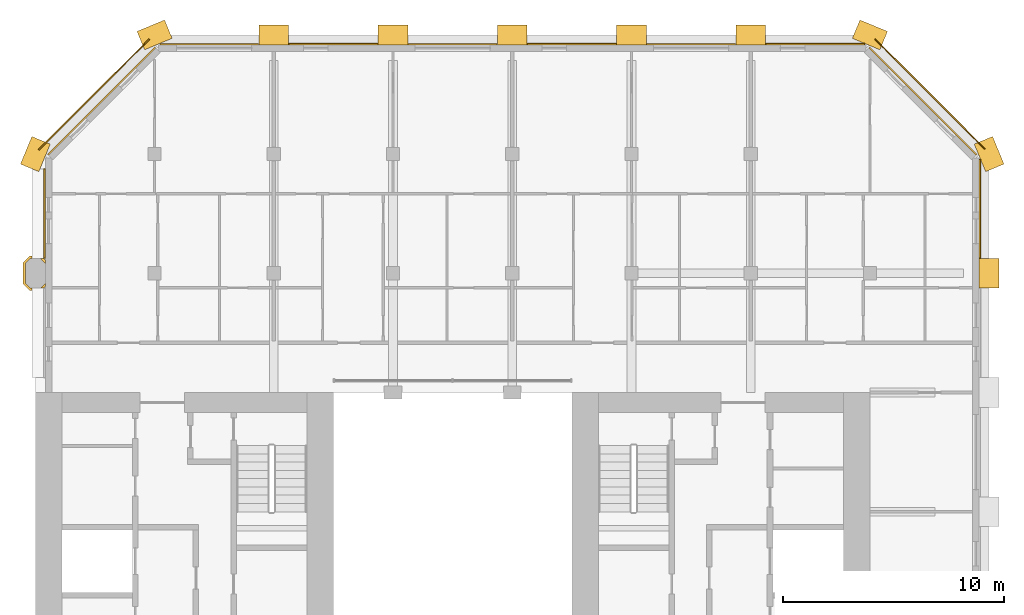
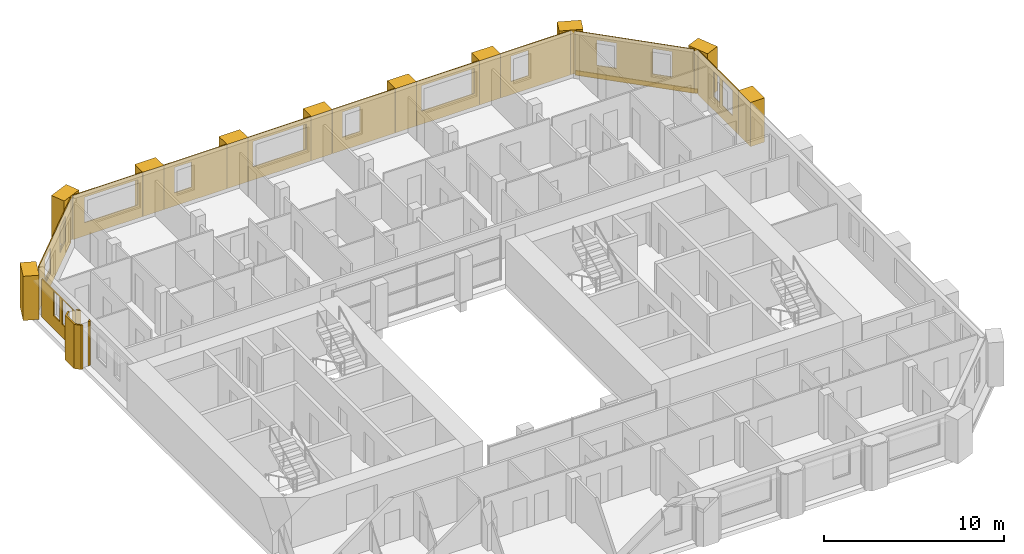
# One storey, part 13 of 13: 25 coverings.
"""IFC4 building model written with IfcOpenShell, lengths in metres."""

from ifc_helpers import new_model, si_unit, direction, frame, frame_2d, origin, place, context, subcontext, project, spatial, polyline, rectangle, outline, extrude, material, layer, layer_set, type_object, element, save


model = new_model("IFC4")

# Units and contexts
model_context = context("Model", 3, precision=1e-05, world=origin(), true_north=direction((0.0, 1.0)))
body_context = subcontext(model_context, "Body", "Model", "MODEL_VIEW")
ifc_project = project(units=[si_unit("LENGTHUNIT", "METRE"), si_unit("AREAUNIT", "SQUARE_METRE"), si_unit("VOLUMEUNIT", "CUBIC_METRE"), si_unit("PLANEANGLEUNIT", "RADIAN"), si_unit("MASSUNIT", "GRAM", prefix="KILO")], contexts=[model_context])

# Site, building, storey
site_placement = place(None, origin())
site = spatial("IfcSite", under=ifc_project, at=site_placement, CompositionType="ELEMENT")
building_placement = place(site_placement, origin())
building = spatial("IfcBuilding", under=site, at=building_placement, Name="Tabaq Tower and Sports Hall", CompositionType="ELEMENT")
storey_placement = place(building_placement, frame((0.0, 0.0, 291.699951171875)))
storey = spatial("IfcBuildingStorey", under=building, at=storey_placement, Name="L72", CompositionType="ELEMENT", Elevation=291.699951171875)

# Coverings
ifc_material_1 = material(Name="Precast concrete C60/75", Category="concrete")
ifc_layer_1 = layer(ifc_material_1, 0.10009765625)
ifc_layer_set_1 = layer_set([ifc_layer_1], Name="Column cladding 100")
covering_type_1 = type_object("IfcCoveringType", Name="Column cladding 100", PredefinedType="CLADDING", material=ifc_layer_set_1)
covering_1_placement = place(storey_placement, origin())
element("IfcCovering", 1, at=covering_1_placement, inside=storey, type_object=covering_type_1, Name="Column cladding L72 PC-2H-R2", PredefinedType="CLADDING", context=body_context, shape_type="SweptSolid", body=[
    extrude(outline(polyline([(5.1337890625, 37.025634765625), (4.8505859375, 37.308837890625), (4.8505859375, 38.291259765625), (5.1337890625, 38.574462890625), (5.24951171875, 38.574462890625), (5.24951171875, 38.4755859375), (5.1748046875, 38.4755859375), (4.949462890625, 38.250244140625), (4.949462890625, 37.349853515625), (5.1748046875, 37.12451171875), (5.24951171875, 37.12451171875), (5.24951171875, 37.025634765625), (5.1337890625, 37.025634765625)])), origin(), (0.0, 0.0, 1.0), 3.0),
])
covering_2_placement = place(storey_placement, origin())
element("IfcCovering", 2, at=covering_2_placement, inside=storey, type_object=covering_type_1, Name="Column cladding L72 PC-2H-R2 2", PredefinedType="CLADDING", context=body_context, shape_type="SweptSolid", body=[
    extrude(outline(polyline([(5.766357421875, 37.125244140625), (5.625732421875, 37.125244140625), (5.849609375, 37.349365234375), (5.849609375, 37.208740234375), (5.766357421875, 37.125244140625)])), origin(), (0.0, 0.0, 1.0), 3.0),
])
covering_3_placement = place(storey_placement, origin())
element("IfcCovering", 3, at=covering_3_placement, inside=storey, type_object=covering_type_1, Name="Column cladding L72 PC-2H-R2 3", PredefinedType="CLADDING", context=body_context, shape_type="SweptSolid", body=[
    extrude(outline(polyline([(5.62646484375, 38.474365234375), (5.76611328125, 38.474365234375), (5.849365234375, 38.39111328125), (5.849365234375, 38.25146484375), (5.62646484375, 38.474365234375)])), origin(), (0.0, 0.0, 1.0), 3.0),
])
ifc_material_2 = material(Name="Precast concrete C60/75", Category="concrete")
ifc_layer_2 = layer(ifc_material_2, 0.06005859375)
ifc_layer_set_2 = layer_set([ifc_layer_2], Name="Edge beam cladding 60")
covering_type_2 = type_object("IfcCoveringType", Name="Edge beam cladding 60", PredefinedType="CLADDING", material=ifc_layer_set_2)
covering_4_placement = place(storey_placement, frame((48.41015625, 43.432373046875, -0.300048828125), z_axis=(0.0, 0.0, 1.0), x_axis=(-0.707106781187, 0.707106781187, 0.0)))
element("IfcCovering", 4, at=covering_4_placement, inside=storey, type_object=covering_type_2, Name="Edge beam cladding L72 3", PredefinedType="CLADDING", context=body_context, shape_type="SweptSolid", body=[
    extrude(rectangle(XDim=7.03955078125, YDim=0.06005859375, at=frame_2d((3.519775390625, 0.0))), origin(), (0.0, 0.0, 1.0), 0.300048828125),
])
covering_5_placement = place(storey_placement, frame((10.567626953125, 48.41015625, -0.300048828125), z_axis=(0.0, 0.0, 1.0), x_axis=(-0.707089559252, -0.707124002701, 0.0)))
element("IfcCovering", 5, at=covering_5_placement, inside=storey, type_object=covering_type_2, Name="Edge beam cladding L72 5", PredefinedType="CLADDING", context=body_context, shape_type="SweptSolid", body=[
    extrude(rectangle(XDim=7.088134765625, YDim=0.06005859375, at=frame_2d((3.5439453125, 0.0))), origin(), (0.0, 0.0, 1.0), 0.300048828125),
])
ifc_material_3 = material(Name="White precast concrete C60/75", Category="concrete")
covering_type_3 = type_object("IfcCoveringType", Name="Pier cladding hung 1350x900", PredefinedType="CLADDING", material=ifc_material_3)
for number, where, z_axis, x_axis, name in (
    (6, (5.658203125, 43.82373046875, 0.0), (0.0, 0.0, 1.0), (-0.382649923473, -0.923893411637, 0.0), "Hung pier cladding 1/8"),
    (7, (11.423583984375, 48.8583984375, 0.0), (0.0, 0.0, 1.0), (-0.923893411637, -0.382649923473, 0.0), "Hung pier cladding 2/9"),
    (8, (16.875, 48.60009765625, 0.0), (0.0, 0.0, 1.0), (-1.0, 0.0, 0.0), "Hung pier cladding 3/9"),
):
    element("IfcCovering", number, at=place(storey_placement, frame(where, z_axis=z_axis, x_axis=x_axis)), inside=storey, type_object=covering_type_3, Name=name, PredefinedType="CLADDING", context=body_context, shape_type="SweptSolid", body=[
        extrude(rectangle(XDim=1.35009765625, YDim=0.89990234375, at=frame_2d((0.675048828125, 0.0))), origin(), (0.0, 0.0, 1.0), 3.0),
    ])
covering_6_placement = place(storey_placement, frame((22.27490234375, 48.60009765625, 0.0), z_axis=(0.0, 0.0, 1.0), x_axis=(-1.0, 0.0, 0.0)))
element("IfcCovering", 9, at=covering_6_placement, inside=storey, type_object=covering_type_3, Name="Hung pier cladding 4/9", PredefinedType="CLADDING", context=body_context, shape_type="SweptSolid", body=[
    extrude(rectangle(XDim=1.349853515625, YDim=0.89990234375, at=frame_2d((0.6748046875, 0.0))), origin(), (0.0, 0.0, 1.0), 3.0),
])
covering_7_placement = place(storey_placement, frame((27.675048828125, 48.60009765625, 0.0), z_axis=(0.0, 0.0, 1.0), x_axis=(-1.0, 0.0, 0.0)))
element("IfcCovering", 10, at=covering_7_placement, inside=storey, type_object=covering_type_3, Name="Hung pier cladding 5/9", PredefinedType="CLADDING", context=body_context, shape_type="SweptSolid", body=[
    extrude(rectangle(XDim=1.35009765625, YDim=0.89990234375, at=frame_2d((0.675048828125, 0.0))), origin(), (0.0, 0.0, 1.0), 3.0),
])
covering_8_placement = place(storey_placement, frame((33.074951171875, 48.60009765625, 0.0), z_axis=(0.0, 0.0, 1.0), x_axis=(-1.0, 0.0, 0.0)))
element("IfcCovering", 11, at=covering_8_placement, inside=storey, type_object=covering_type_3, Name="Hung pier cladding 6/9", PredefinedType="CLADDING", context=body_context, shape_type="SweptSolid", body=[
    extrude(rectangle(XDim=1.349853515625, YDim=0.89990234375, at=frame_2d((0.6748046875, 0.0))), origin(), (0.0, 0.0, 1.0), 3.0),
])
for number, where, z_axis, x_axis, name in (
    (12, (38.47509765625, 48.60009765625, 0.0), (0.0, 0.0, 1.0), (-1.0, 0.0, 0.0), "Hung pier cladding 7/9"),
    (13, (43.82373046875, 48.341796875, 0.0), (0.0, 0.0, 1.0), (-0.923893411637, 0.382649923473, 0.0), "Hung pier cladding 8/9"),
    (14, (48.60009765625, 37.125, 0.0), (0.0, 0.0, 1.0), (0.0, 1.0, 0.0), "Hung pier cladding 9/7"),
    (15, (48.8583984375, 42.576416015625, 0.0), (0.0, 0.0, 1.0), (-0.382649923473, 0.923893411637, 0.0), "Hung pier cladding 9/8"),
):
    element("IfcCovering", number, at=place(storey_placement, frame(where, z_axis=z_axis, x_axis=x_axis)), inside=storey, type_object=covering_type_3, Name=name, PredefinedType="CLADDING", context=body_context, shape_type="SweptSolid", body=[
        extrude(rectangle(XDim=1.35009765625, YDim=0.89990234375, at=frame_2d((0.675048828125, 0.0))), origin(), (0.0, 0.0, 1.0), 3.0),
    ])
ifc_material_4 = material(Name="Precast concrete C60/75", Category="concrete")
ifc_layer_3 = layer(ifc_material_4, 0.06005859375)
ifc_layer_set_3 = layer_set([ifc_layer_3], Name="White precast cladding panel 60 C60/75")
covering_type_4 = type_object("IfcCoveringType", Name="White precast cladding panel 60 C60/75", PredefinedType="CLADDING", material=ifc_layer_set_3)
covering_9_placement = place(storey_placement, frame((48.179931640625, 38.485107421875, 0.0), z_axis=(0.0, 0.0, 1.0), x_axis=(0.0, 1.0, 0.0)))
element("IfcCovering", 16, at=covering_9_placement, inside=storey, type_object=covering_type_4, Name="White precast cladding panel L72 wall02 6", PredefinedType="CLADDING", context=body_context, shape_type="SweptSolid", body=[
    extrude(outline(polyline([(0.0, 0.0), (4.4716796875, 0.0), (4.4716796875, 3.0), (0.0, 3.0), (0.0, 0.0)]), holes=[polyline([(0.655029296875, 2.610107421875), (1.77490234375, 2.610107421875), (1.77490234375, 0.89013671875), (0.655029296875, 0.89013671875), (0.655029296875, 2.610107421875)]), polyline([(2.080078125, 2.610107421875), (2.75, 2.610107421875), (2.75, 0.89013671875), (2.080078125, 0.89013671875), (2.080078125, 2.610107421875)])]), frame((0.0, 0.030029296875, 0.0), z_axis=(0.0, -1.0, 0.0), x_axis=(1.0, 0.0, 0.0)), (0.0, 0.0, 1.0), 0.06005859375),
])
covering_10_placement = place(storey_placement, frame((48.0283203125, 43.177734375, 0.0), z_axis=(0.0, 0.0, 1.0), x_axis=(-0.707106781187, 0.707106781187, 0.0)))
element("IfcCovering", 17, at=covering_10_placement, inside=storey, type_object=covering_type_4, Name="White precast cladding panel L72 wall03", PredefinedType="CLADDING", context=body_context, shape_type="SweptSolid", body=[
    extrude(outline(polyline([(0.0, 0.0), (6.85986328125, 0.0), (6.85986328125, 3.0), (0.0, 3.0), (0.0, 0.0)]), holes=[polyline([(1.269775390625, 2.610107421875), (2.389892578125, 2.610107421875), (2.389892578125, 0.89013671875), (1.269775390625, 0.89013671875), (1.269775390625, 2.610107421875)]), polyline([(4.4697265625, 2.610107421875), (5.58984375, 2.610107421875), (5.58984375, 0.89013671875), (4.4697265625, 0.89013671875), (4.4697265625, 2.610107421875)])]), frame((0.0, 0.030029296875, 0.0), z_axis=(0.0, -1.0, 0.0), x_axis=(1.0, 0.0, 0.0)), (0.0, 0.0, 1.0), 0.06005859375),
])
covering_11_placement = place(storey_placement, frame((42.956787109375, 48.179931640625, 0.0), z_axis=(0.0, 0.0, 1.0), x_axis=(-1.0, 0.0, 0.0)))
element("IfcCovering", 18, at=covering_11_placement, inside=storey, type_object=covering_type_4, Name="White precast cladding panel L72 wall04", PredefinedType="CLADDING", context=body_context, shape_type="SweptSolid", body=[
    extrude(outline(polyline([(0.0, 0.0), (4.4716796875, 0.0), (4.4716796875, 3.0), (0.0, 3.0), (0.0, 0.0)]), holes=[polyline([(2.69677734375, 0.89013671875), (2.69677734375, 2.610107421875), (3.81689453125, 2.610107421875), (3.81689453125, 0.89013671875), (2.69677734375, 0.89013671875)])]), frame((0.0, 0.030029296875, 0.0), z_axis=(0.0, -1.0, 0.0), x_axis=(1.0, 0.0, 0.0)), (0.0, 0.0, 1.0), 0.06005859375),
])
covering_12_placement = place(storey_placement, frame((37.114990234375, 48.179931640625, 0.0), z_axis=(0.0, 0.0, 1.0), x_axis=(-1.0, 0.0, 0.0)))
element("IfcCovering", 19, at=covering_12_placement, inside=storey, type_object=covering_type_4, Name="White precast cladding panel L72 wall04 2", PredefinedType="CLADDING", context=body_context, shape_type="SweptSolid", body=[
    extrude(outline(polyline([(0.0, 0.0), (4.030029296875, 0.0), (4.030029296875, 3.0), (0.0, 3.0), (0.0, 0.0)]), holes=[polyline([(0.304931640625, 0.89013671875), (0.304931640625, 2.610107421875), (3.72509765625, 2.610107421875), (3.72509765625, 0.89013671875), (0.304931640625, 0.89013671875)])]), frame((0.0, 0.030029296875, 0.0), z_axis=(0.0, -1.0, 0.0), x_axis=(1.0, 0.0, 0.0)), (0.0, 0.0, 1.0), 0.06005859375),
])
covering_13_placement = place(storey_placement, frame((31.715087890625, 48.179931640625, 0.0), z_axis=(0.0, 0.0, 1.0), x_axis=(-1.0, 0.0, 0.0)))
element("IfcCovering", 20, at=covering_13_placement, inside=storey, type_object=covering_type_4, Name="White precast cladding panel L72 wall04 3", PredefinedType="CLADDING", context=body_context, shape_type="SweptSolid", body=[
    extrude(outline(polyline([(0.0, 0.0), (4.030029296875, 0.0), (4.030029296875, 3.0), (0.0, 3.0), (0.0, 0.0)]), holes=[polyline([(2.2548828125, 0.89013671875), (2.2548828125, 2.610107421875), (3.375, 2.610107421875), (3.375, 0.89013671875), (2.2548828125, 0.89013671875)])]), frame((0.0, 0.030029296875, 0.0), z_axis=(0.0, -1.0, 0.0), x_axis=(1.0, 0.0, 0.0)), (0.0, 0.0, 1.0), 0.06005859375),
])
covering_14_placement = place(storey_placement, frame((26.31494140625, 48.179931640625, 0.0), z_axis=(0.0, 0.0, 1.0), x_axis=(-1.0, 0.0, 0.0)))
element("IfcCovering", 21, at=covering_14_placement, inside=storey, type_object=covering_type_4, Name="White precast cladding panel L72 wall04 4", PredefinedType="CLADDING", context=body_context, shape_type="SweptSolid", body=[
    extrude(outline(polyline([(0.0, 0.0), (4.030029296875, 0.0), (4.030029296875, 3.0), (0.0, 3.0), (0.0, 0.0)]), holes=[polyline([(0.304931640625, 0.89013671875), (0.304931640625, 2.610107421875), (3.72509765625, 2.610107421875), (3.72509765625, 0.89013671875), (0.304931640625, 0.89013671875)])]), frame((0.0, 0.030029296875, 0.0), z_axis=(0.0, -1.0, 0.0), x_axis=(1.0, 0.0, 0.0)), (0.0, 0.0, 1.0), 0.06005859375),
])
covering_15_placement = place(storey_placement, frame((20.9150390625, 48.179931640625, 0.0), z_axis=(0.0, 0.0, 1.0), x_axis=(-1.0, 0.0, 0.0)))
element("IfcCovering", 22, at=covering_15_placement, inside=storey, type_object=covering_type_4, Name="White precast cladding panel L72 wall04 5", PredefinedType="CLADDING", context=body_context, shape_type="SweptSolid", body=[
    extrude(outline(polyline([(0.0, 0.0), (4.030029296875, 0.0), (4.030029296875, 3.0), (0.0, 3.0), (0.0, 0.0)]), holes=[polyline([(2.2548828125, 0.89013671875), (2.2548828125, 2.610107421875), (3.375, 2.610107421875), (3.375, 0.89013671875), (2.2548828125, 0.89013671875)])]), frame((0.0, 0.030029296875, 0.0), z_axis=(0.0, -1.0, 0.0), x_axis=(1.0, 0.0, 0.0)), (0.0, 0.0, 1.0), 0.06005859375),
])
covering_16_placement = place(storey_placement, frame((15.514892578125, 48.179931640625, 0.0), z_axis=(0.0, 0.0, 1.0), x_axis=(-1.0, 0.0, 0.0)))
element("IfcCovering", 23, at=covering_16_placement, inside=storey, type_object=covering_type_4, Name="White precast cladding panel L72 wall04 6", PredefinedType="CLADDING", context=body_context, shape_type="SweptSolid", body=[
    extrude(outline(polyline([(0.0, 0.0), (4.4716796875, 0.0), (4.4716796875, 3.0), (0.0, 3.0), (0.0, 0.0)]), holes=[polyline([(0.304931640625, 0.89013671875), (0.304931640625, 2.610107421875), (3.72509765625, 2.610107421875), (3.72509765625, 0.89013671875), (0.304931640625, 0.89013671875)])]), frame((0.0, 0.030029296875, 0.0), z_axis=(0.0, -1.0, 0.0), x_axis=(1.0, 0.0, 0.0)), (0.0, 0.0, 1.0), 0.06005859375),
])
covering_17_placement = place(storey_placement, frame((10.822265625, 48.0283203125, 0.0), z_axis=(0.0, 0.0, 1.0), x_axis=(-0.707106781187, -0.707106781187, 0.0)))
element("IfcCovering", 24, at=covering_17_placement, inside=storey, type_object=covering_type_4, Name="White precast cladding panel L72 wall05", PredefinedType="CLADDING", context=body_context, shape_type="SweptSolid", body=[
    extrude(outline(polyline([(0.0, 0.0), (6.85986328125, 0.0), (6.85986328125, 3.0), (0.0, 3.0), (0.0, 0.0)]), holes=[polyline([(1.269775390625, 2.610107421875), (2.389892578125, 2.610107421875), (2.389892578125, 0.89013671875), (1.269775390625, 0.89013671875), (1.269775390625, 2.610107421875)]), polyline([(4.4697265625, 2.610107421875), (5.58984375, 2.610107421875), (5.58984375, 0.89013671875), (4.4697265625, 0.89013671875), (4.4697265625, 2.610107421875)])]), frame((0.0, 0.030029296875, 0.0), z_axis=(0.0, -1.0, 0.0), x_axis=(1.0, 0.0, 0.0)), (0.0, 0.0, 1.0), 0.06005859375),
])
covering_18_placement = place(storey_placement, frame((5.820068359375, 42.534912109375, 0.0), z_axis=(0.0, 0.0, 1.0), x_axis=(0.0, -1.0, 0.0)))
element("IfcCovering", 25, at=covering_18_placement, inside=storey, type_object=covering_type_4, Name="White precast cladding panel L72 wall06", PredefinedType="CLADDING", context=body_context, shape_type="SweptSolid", body=[
    extrude(outline(polyline([(0.0, 0.0), (4.0498046875, 0.0), (4.0498046875, 2.590087890625), (0.0, 2.590087890625), (0.0, 0.0)]), holes=[polyline([(1.300048828125, 0.89013671875), (1.300048828125, 2.56005859375), (1.969970703125, 2.56005859375), (1.969970703125, 0.89013671875), (1.300048828125, 0.89013671875)]), polyline([(2.27490234375, 0.89013671875), (2.27490234375, 2.56005859375), (3.39501953125, 2.56005859375), (3.39501953125, 0.89013671875), (2.27490234375, 0.89013671875)])]), frame((0.0, 0.030029296875, 0.0), z_axis=(0.0, -1.0, 0.0), x_axis=(1.0, 0.0, 0.0)), (0.0, 0.0, 1.0), 0.06005859375),
])

save(model, "model.ifc")
